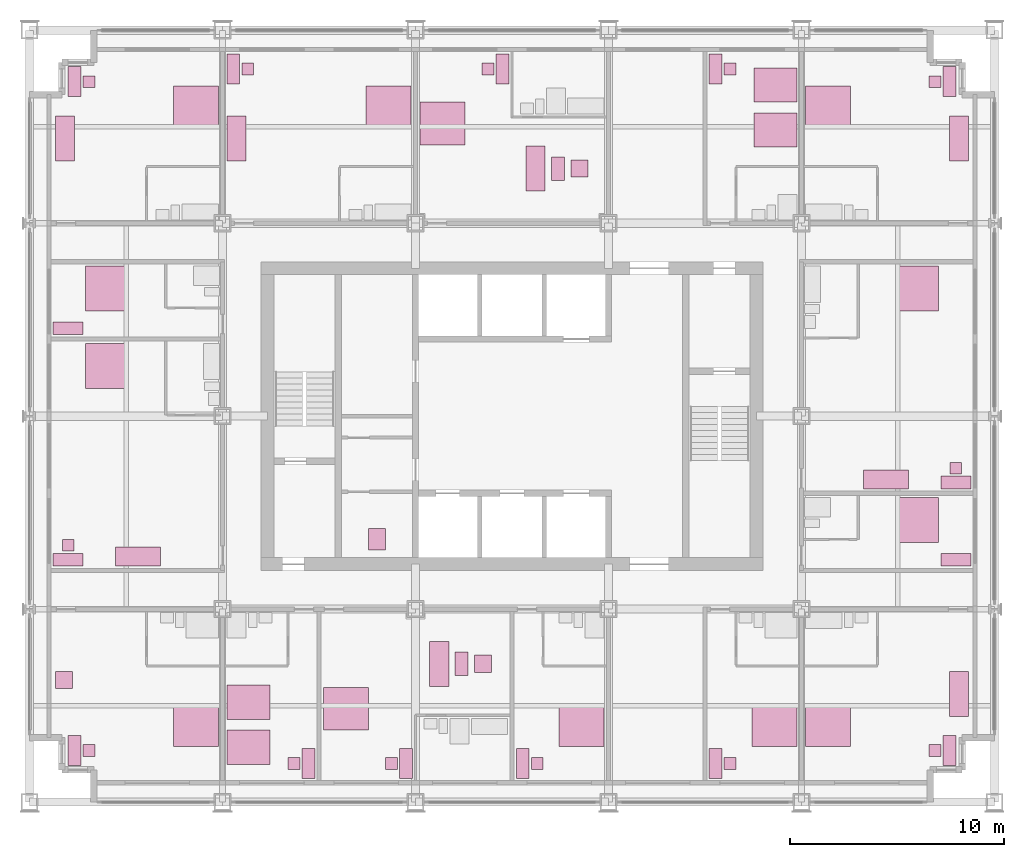
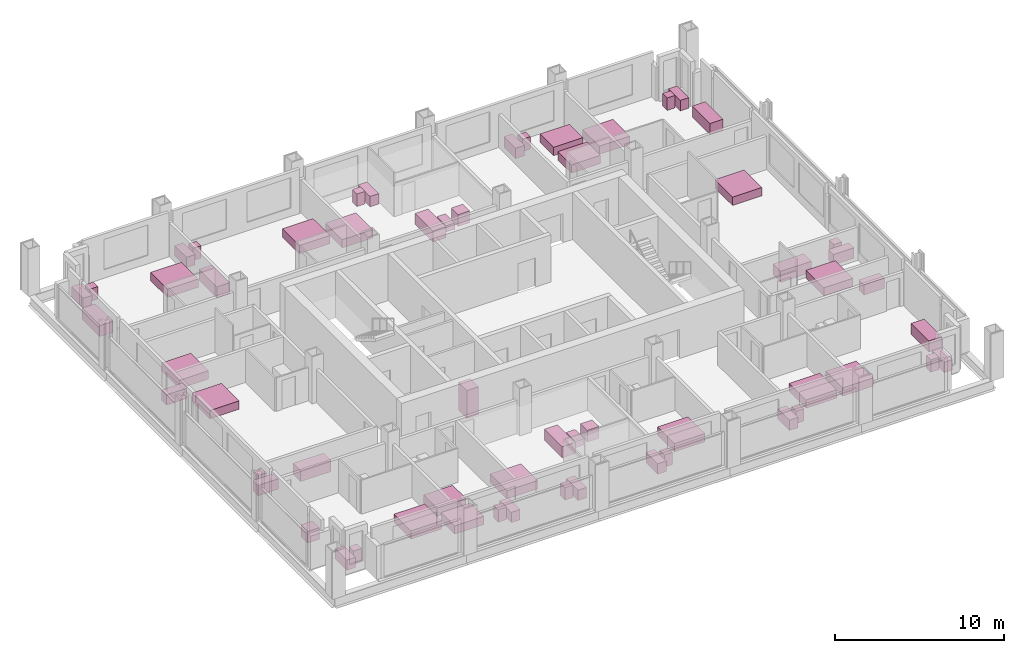
# One storey, part 16 of 16: 59 furniture elements.
"""IFC4 building model written with IfcOpenShell, lengths in metres."""

from ifc_helpers import new_model, si_unit, direction, frame, origin, origin_2d, place, context, subcontext, project, spatial, rectangle, extrude, element, save


model = new_model("IFC4")

# Units and contexts
model_context = context("Model", 3, precision=1e-05, world=origin(), true_north=direction((0.0, 1.0)))
body_context = subcontext(model_context, "Body", "Model", "MODEL_VIEW")
ifc_project = project(units=[si_unit("LENGTHUNIT", "METRE"), si_unit("AREAUNIT", "SQUARE_METRE"), si_unit("VOLUMEUNIT", "CUBIC_METRE"), si_unit("PLANEANGLEUNIT", "RADIAN"), si_unit("MASSUNIT", "GRAM", prefix="KILO")], contexts=[model_context])

# Site, building, storey
site_placement = place(None, origin())
site = spatial("IfcSite", under=ifc_project, at=site_placement, CompositionType="ELEMENT")
building_placement = place(site_placement, origin())
building = spatial("IfcBuilding", under=site, at=building_placement, Name="Loomwork Tower", CompositionType="ELEMENT")
storey_placement = place(building_placement, frame((0.0, 0.0, 121.39990234375)))
storey = spatial("IfcBuildingStorey", under=building, at=storey_placement, Name="L32", CompositionType="ELEMENT", Elevation=121.39990234375)

# Furniture
furniture_1_placement = place(storey_placement, frame((7.75, 3.60009765625, 0.0), z_axis=(0.0, 0.0, 1.0), x_axis=(1.0, 0.0, 0.0)))
element("IfcFurniture", 1, at=furniture_1_placement, inside=storey, Name="King bed L32", PredefinedType="BED", context=body_context, shape_type="SweptSolid", body=[
    extrude(rectangle(XDim=2.10009765625, YDim=2.0, at=origin_2d()), origin(), (0.0, 0.0, 1.0), 0.60009765625),
])
furniture_2_placement = place(storey_placement, frame((2.10009765625, 2.39990234375, 0.0), z_axis=(0.0, 0.0, 1.0), x_axis=(1.0, 0.0, 0.0)))
element("IfcFurniture", 2, at=furniture_2_placement, inside=storey, Name="Writing desk L32", PredefinedType="DESK", context=body_context, shape_type="SweptSolid", body=[
    extrude(rectangle(XDim=0.60009765625, YDim=1.39990234375, at=origin_2d()), origin(), (0.0, 0.0, 1.0), 0.75),
])
furniture_3_placement = place(storey_placement, frame((2.77490234375, 2.39990234375, 0.000244140625), z_axis=(0.0, 0.0, 1.0), x_axis=(1.0, 0.0, 0.0)))
element("IfcFurniture", 3, at=furniture_3_placement, inside=storey, Name="Desk chair L32", PredefinedType="CHAIR", context=body_context, shape_type="SweptSolid", body=[
    extrude(rectangle(XDim=0.550048828125, YDim=0.550048828125, at=origin_2d()), origin(), (0.0, 0.0, 1.0), 0.89990234375),
])
furniture_4_placement = place(storey_placement, frame((1.60009765625, 5.699951171875, 0.0), z_axis=(0.0, 0.0, 1.0), x_axis=(1.0, 0.0, 0.0)))
element("IfcFurniture", 4, at=furniture_4_placement, inside=storey, Name="Lounge armchair L32", PredefinedType="CHAIR", context=body_context, shape_type="SweptSolid", body=[
    extrude(rectangle(XDim=0.800048828125, YDim=0.800048828125, at=origin_2d()), origin(), (0.0, 0.0, 1.0), 0.85009765625),
])
for number, where, z_axis, x_axis, name in (
    (5, (10.199951171875, 4.64990234375, 0.0), (0.0, 0.0, 1.0), (1.0, 0.0, 0.0), "Queen bed L32"),
    (6, (10.199951171875, 2.550048828125, 0.0), (0.0, 0.0, 1.0), (1.0, 0.0, 0.0), "Queen bed L32"),
):
    element("IfcFurniture", number, at=place(storey_placement, frame(where, z_axis=z_axis, x_axis=x_axis)), inside=storey, Name=name, PredefinedType="BED", context=body_context, shape_type="SweptSolid", body=[
        extrude(rectangle(XDim=2.0, YDim=1.60009765625, at=origin_2d()), origin(), (0.0, 0.0, 1.0), 0.60009765625),
    ])
furniture_5_placement = place(storey_placement, frame((13.0, 1.800048828125, 0.0), z_axis=(0.0, 0.0, 1.0), x_axis=(1.0, 0.0, 0.0)))
element("IfcFurniture", 7, at=furniture_5_placement, inside=storey, Name="Writing desk L32", PredefinedType="DESK", context=body_context, shape_type="SweptSolid", body=[
    extrude(rectangle(XDim=0.60009765625, YDim=1.39990234375, at=origin_2d()), origin(), (0.0, 0.0, 1.0), 0.75),
])
furniture_6_placement = place(storey_placement, frame((12.324951171875, 1.800048828125, 0.000244140625), z_axis=(0.0, 0.0, 1.0), x_axis=(1.0, 0.0, 0.0)))
element("IfcFurniture", 8, at=furniture_6_placement, inside=storey, Name="Desk chair L32", PredefinedType="CHAIR", context=body_context, shape_type="SweptSolid", body=[
    extrude(rectangle(XDim=0.550048828125, YDim=0.550048828125, at=origin_2d()), origin(), (0.0, 0.0, 1.0), 0.89990234375),
])
furniture_7_placement = place(storey_placement, frame((14.75, 4.35009765625, 0.0), z_axis=(0.0, 0.0, 1.0), x_axis=(1.0, 0.0, 0.0)))
element("IfcFurniture", 9, at=furniture_7_placement, inside=storey, Name="King bed L32", PredefinedType="BED", context=body_context, shape_type="SweptSolid", body=[
    extrude(rectangle(XDim=2.10009765625, YDim=2.0, at=origin_2d()), origin(), (0.0, 0.0, 1.0), 0.60009765625),
])
furniture_8_placement = place(storey_placement, frame((17.550048828125, 1.800048828125, 0.0), z_axis=(0.0, 0.0, 1.0), x_axis=(1.0, 0.0, 0.0)))
element("IfcFurniture", 10, at=furniture_8_placement, inside=storey, Name="Writing desk L32", PredefinedType="DESK", context=body_context, shape_type="SweptSolid", body=[
    extrude(rectangle(XDim=0.60009765625, YDim=1.39990234375, at=origin_2d()), origin(), (0.0, 0.0, 1.0), 0.75),
])
furniture_9_placement = place(storey_placement, frame((16.875, 1.800048828125, 0.000244140625), z_axis=(0.0, 0.0, 1.0), x_axis=(1.0, 0.0, 0.0)))
element("IfcFurniture", 11, at=furniture_9_placement, inside=storey, Name="Desk chair L32", PredefinedType="CHAIR", context=body_context, shape_type="SweptSolid", body=[
    extrude(rectangle(XDim=0.550048828125, YDim=0.550048828125, at=origin_2d()), origin(), (0.0, 0.0, 1.0), 0.89990234375),
])
furniture_10_placement = place(storey_placement, frame((19.10009765625, 6.449951171875, 0.0), z_axis=(0.0, 0.0, 1.0), x_axis=(1.0, 0.0, 0.0)))
element("IfcFurniture", 12, at=furniture_10_placement, inside=storey, Name="Sofa L32", PredefinedType="SOFA", context=body_context, shape_type="SweptSolid", body=[
    extrude(rectangle(XDim=0.89990234375, YDim=2.10009765625, at=origin_2d()), origin(), (0.0, 0.0, 1.0), 0.800048828125),
])
furniture_11_placement = place(storey_placement, frame((20.14990234375, 6.449951171875, 0.0), z_axis=(0.0, 0.0, 1.0), x_axis=(1.0, 0.0, 0.0)))
element("IfcFurniture", 13, at=furniture_11_placement, inside=storey, Name="Coffee table L32", PredefinedType="TABLE", context=body_context, shape_type="SweptSolid", body=[
    extrude(rectangle(XDim=0.60009765625, YDim=1.10009765625, at=origin_2d()), origin(), (0.0, 0.0, 1.0), 0.449951171875),
])
furniture_12_placement = place(storey_placement, frame((21.14990234375, 6.449951171875, 0.0), z_axis=(0.0, 0.0, 1.0), x_axis=(1.0, 0.0, 0.0)))
element("IfcFurniture", 14, at=furniture_12_placement, inside=storey, Name="Lounge armchair L32", PredefinedType="CHAIR", context=body_context, shape_type="SweptSolid", body=[
    extrude(rectangle(XDim=0.800048828125, YDim=0.800048828125, at=origin_2d()), origin(), (0.0, 0.0, 1.0), 0.85009765625),
])
furniture_13_placement = place(storey_placement, frame((25.75, 3.60009765625, 0.0), z_axis=(0.0, 0.0, 1.0), x_axis=(1.0, 0.0, 0.0)))
element("IfcFurniture", 15, at=furniture_13_placement, inside=storey, Name="King bed L32", PredefinedType="BED", context=body_context, shape_type="SweptSolid", body=[
    extrude(rectangle(XDim=2.10009765625, YDim=2.0, at=origin_2d()), origin(), (0.0, 0.0, 1.0), 0.60009765625),
])
furniture_14_placement = place(storey_placement, frame((23.0, 1.800048828125, 0.0), z_axis=(0.0, 0.0, 1.0), x_axis=(1.0, 0.0, 0.0)))
element("IfcFurniture", 16, at=furniture_14_placement, inside=storey, Name="Writing desk L32", PredefinedType="DESK", context=body_context, shape_type="SweptSolid", body=[
    extrude(rectangle(XDim=0.60009765625, YDim=1.39990234375, at=origin_2d()), origin(), (0.0, 0.0, 1.0), 0.75),
])
furniture_15_placement = place(storey_placement, frame((23.675048828125, 1.800048828125, 0.000244140625), z_axis=(0.0, 0.0, 1.0), x_axis=(1.0, 0.0, 0.0)))
element("IfcFurniture", 17, at=furniture_15_placement, inside=storey, Name="Desk chair L32", PredefinedType="CHAIR", context=body_context, shape_type="SweptSolid", body=[
    extrude(rectangle(XDim=0.550048828125, YDim=0.550048828125, at=origin_2d()), origin(), (0.0, 0.0, 1.0), 0.89990234375),
])
furniture_16_placement = place(storey_placement, frame((34.75, 3.60009765625, 0.0), z_axis=(0.0, 0.0, 1.0), x_axis=(1.0, 0.0, 0.0)))
element("IfcFurniture", 18, at=furniture_16_placement, inside=storey, Name="King bed L32", PredefinedType="BED", context=body_context, shape_type="SweptSolid", body=[
    extrude(rectangle(XDim=2.10009765625, YDim=2.0, at=origin_2d()), origin(), (0.0, 0.0, 1.0), 0.60009765625),
])
furniture_17_placement = place(storey_placement, frame((32.0, 1.800048828125, 0.0), z_axis=(0.0, 0.0, 1.0), x_axis=(1.0, 0.0, 0.0)))
element("IfcFurniture", 19, at=furniture_17_placement, inside=storey, Name="Writing desk L32", PredefinedType="DESK", context=body_context, shape_type="SweptSolid", body=[
    extrude(rectangle(XDim=0.60009765625, YDim=1.39990234375, at=origin_2d()), origin(), (0.0, 0.0, 1.0), 0.75),
])
furniture_18_placement = place(storey_placement, frame((32.675048828125, 1.800048828125, 0.000244140625), z_axis=(0.0, 0.0, 1.0), x_axis=(1.0, 0.0, 0.0)))
element("IfcFurniture", 20, at=furniture_18_placement, inside=storey, Name="Desk chair L32", PredefinedType="CHAIR", context=body_context, shape_type="SweptSolid", body=[
    extrude(rectangle(XDim=0.550048828125, YDim=0.550048828125, at=origin_2d()), origin(), (0.0, 0.0, 1.0), 0.89990234375),
])
furniture_19_placement = place(storey_placement, frame((37.25, 3.60009765625, 0.0), z_axis=(0.0, 0.0, 1.0), x_axis=(1.0, 0.0, 0.0)))
element("IfcFurniture", 21, at=furniture_19_placement, inside=storey, Name="King bed L32", PredefinedType="BED", context=body_context, shape_type="SweptSolid", body=[
    extrude(rectangle(XDim=2.10009765625, YDim=2.0, at=origin_2d()), origin(), (0.0, 0.0, 1.0), 0.60009765625),
])
furniture_20_placement = place(storey_placement, frame((42.89990234375, 2.39990234375, 0.0), z_axis=(0.0, 0.0, 1.0), x_axis=(1.0, 0.0, 0.0)))
element("IfcFurniture", 22, at=furniture_20_placement, inside=storey, Name="Writing desk L32", PredefinedType="DESK", context=body_context, shape_type="SweptSolid", body=[
    extrude(rectangle(XDim=0.60009765625, YDim=1.39990234375, at=origin_2d()), origin(), (0.0, 0.0, 1.0), 0.75),
])
furniture_21_placement = place(storey_placement, frame((42.22509765625, 2.39990234375, 0.000244140625), z_axis=(0.0, 0.0, 1.0), x_axis=(1.0, 0.0, 0.0)))
element("IfcFurniture", 23, at=furniture_21_placement, inside=storey, Name="Desk chair L32", PredefinedType="CHAIR", context=body_context, shape_type="SweptSolid", body=[
    extrude(rectangle(XDim=0.550048828125, YDim=0.550048828125, at=origin_2d()), origin(), (0.0, 0.0, 1.0), 0.89990234375),
])
furniture_22_placement = place(storey_placement, frame((43.35009765625, 5.050048828125, 0.0), z_axis=(0.0, 0.0, 1.0), x_axis=(1.0, 0.0, 0.0)))
element("IfcFurniture", 24, at=furniture_22_placement, inside=storey, Name="Sofa L32", PredefinedType="SOFA", context=body_context, shape_type="SweptSolid", body=[
    extrude(rectangle(XDim=0.89990234375, YDim=2.10009765625, at=origin_2d()), origin(), (0.0, 0.0, 1.0), 0.800048828125),
])
furniture_23_placement = place(storey_placement, frame((7.75, 32.39990234375, 0.0), z_axis=(0.0, 0.0, 1.0), x_axis=(1.0, 0.0, 0.0)))
element("IfcFurniture", 25, at=furniture_23_placement, inside=storey, Name="King bed L32", PredefinedType="BED", context=body_context, shape_type="SweptSolid", body=[
    extrude(rectangle(XDim=2.10009765625, YDim=2.0, at=origin_2d()), origin(), (0.0, 0.0, 1.0), 0.60009765625),
])
furniture_24_placement = place(storey_placement, frame((2.10009765625, 33.60009765625, 0.0), z_axis=(0.0, 0.0, 1.0), x_axis=(1.0, 0.0, 0.0)))
element("IfcFurniture", 26, at=furniture_24_placement, inside=storey, Name="Writing desk L32", PredefinedType="DESK", context=body_context, shape_type="SweptSolid", body=[
    extrude(rectangle(XDim=0.60009765625, YDim=1.39990234375, at=origin_2d()), origin(), (0.0, 0.0, 1.0), 0.75),
])
furniture_25_placement = place(storey_placement, frame((2.77490234375, 33.60009765625, 0.000244140625), z_axis=(0.0, 0.0, 1.0), x_axis=(1.0, 0.0, 0.0)))
element("IfcFurniture", 27, at=furniture_25_placement, inside=storey, Name="Desk chair L32", PredefinedType="CHAIR", context=body_context, shape_type="SweptSolid", body=[
    extrude(rectangle(XDim=0.550048828125, YDim=0.550048828125, at=origin_2d()), origin(), (0.0, 0.0, 1.0), 0.89990234375),
])
furniture_26_placement = place(storey_placement, frame((1.64990234375, 30.949951171875, 0.0), z_axis=(0.0, 0.0, 1.0), x_axis=(1.0, 0.0, 0.0)))
element("IfcFurniture", 28, at=furniture_26_placement, inside=storey, Name="Sofa L32", PredefinedType="SOFA", context=body_context, shape_type="SweptSolid", body=[
    extrude(rectangle(XDim=0.89990234375, YDim=2.10009765625, at=origin_2d()), origin(), (0.0, 0.0, 1.0), 0.800048828125),
])
furniture_27_placement = place(storey_placement, frame((16.75, 32.39990234375, 0.0), z_axis=(0.0, 0.0, 1.0), x_axis=(1.0, 0.0, 0.0)))
element("IfcFurniture", 29, at=furniture_27_placement, inside=storey, Name="King bed L32", PredefinedType="BED", context=body_context, shape_type="SweptSolid", body=[
    extrude(rectangle(XDim=2.10009765625, YDim=2.0, at=origin_2d()), origin(), (0.0, 0.0, 1.0), 0.60009765625),
])
furniture_28_placement = place(storey_placement, frame((9.5, 34.199951171875, 0.0), z_axis=(0.0, 0.0, 1.0), x_axis=(1.0, 0.0, 0.0)))
element("IfcFurniture", 30, at=furniture_28_placement, inside=storey, Name="Writing desk L32", PredefinedType="DESK", context=body_context, shape_type="SweptSolid", body=[
    extrude(rectangle(XDim=0.60009765625, YDim=1.39990234375, at=origin_2d()), origin(), (0.0, 0.0, 1.0), 0.75),
])
furniture_29_placement = place(storey_placement, frame((10.175048828125, 34.199951171875, 0.000244140625), z_axis=(0.0, 0.0, 1.0), x_axis=(1.0, 0.0, 0.0)))
element("IfcFurniture", 31, at=furniture_29_placement, inside=storey, Name="Desk chair L32", PredefinedType="CHAIR", context=body_context, shape_type="SweptSolid", body=[
    extrude(rectangle(XDim=0.550048828125, YDim=0.550048828125, at=origin_2d()), origin(), (0.0, 0.0, 1.0), 0.89990234375),
])
furniture_30_placement = place(storey_placement, frame((9.64990234375, 30.949951171875, 0.0), z_axis=(0.0, 0.0, 1.0), x_axis=(1.0, 0.0, 0.0)))
element("IfcFurniture", 32, at=furniture_30_placement, inside=storey, Name="Sofa L32", PredefinedType="SOFA", context=body_context, shape_type="SweptSolid", body=[
    extrude(rectangle(XDim=0.89990234375, YDim=2.10009765625, at=origin_2d()), origin(), (0.0, 0.0, 1.0), 0.800048828125),
])
furniture_31_placement = place(storey_placement, frame((19.25, 31.64990234375, 0.0), z_axis=(0.0, 0.0, 1.0), x_axis=(1.0, 0.0, 0.0)))
element("IfcFurniture", 33, at=furniture_31_placement, inside=storey, Name="King bed L32", PredefinedType="BED", context=body_context, shape_type="SweptSolid", body=[
    extrude(rectangle(XDim=2.10009765625, YDim=2.0, at=origin_2d()), origin(), (0.0, 0.0, 1.0), 0.60009765625),
])
furniture_32_placement = place(storey_placement, frame((22.050048828125, 34.199951171875, 0.0), z_axis=(0.0, 0.0, 1.0), x_axis=(1.0, 0.0, 0.0)))
element("IfcFurniture", 34, at=furniture_32_placement, inside=storey, Name="Writing desk L32", PredefinedType="DESK", context=body_context, shape_type="SweptSolid", body=[
    extrude(rectangle(XDim=0.60009765625, YDim=1.39990234375, at=origin_2d()), origin(), (0.0, 0.0, 1.0), 0.75),
])
furniture_33_placement = place(storey_placement, frame((21.375, 34.199951171875, 0.000244140625), z_axis=(0.0, 0.0, 1.0), x_axis=(1.0, 0.0, 0.0)))
element("IfcFurniture", 35, at=furniture_33_placement, inside=storey, Name="Desk chair L32", PredefinedType="CHAIR", context=body_context, shape_type="SweptSolid", body=[
    extrude(rectangle(XDim=0.550048828125, YDim=0.550048828125, at=origin_2d()), origin(), (0.0, 0.0, 1.0), 0.89990234375),
])
furniture_34_placement = place(storey_placement, frame((23.60009765625, 29.550048828125, 0.0), z_axis=(0.0, 0.0, 1.0), x_axis=(1.0, 0.0, 0.0)))
element("IfcFurniture", 36, at=furniture_34_placement, inside=storey, Name="Sofa L32", PredefinedType="SOFA", context=body_context, shape_type="SweptSolid", body=[
    extrude(rectangle(XDim=0.89990234375, YDim=2.10009765625, at=origin_2d()), origin(), (0.0, 0.0, 1.0), 0.800048828125),
])
furniture_35_placement = place(storey_placement, frame((24.64990234375, 29.550048828125, 0.0), z_axis=(0.0, 0.0, 1.0), x_axis=(1.0, 0.0, 0.0)))
element("IfcFurniture", 37, at=furniture_35_placement, inside=storey, Name="Coffee table L32", PredefinedType="TABLE", context=body_context, shape_type="SweptSolid", body=[
    extrude(rectangle(XDim=0.60009765625, YDim=1.10009765625, at=origin_2d()), origin(), (0.0, 0.0, 1.0), 0.449951171875),
])
furniture_36_placement = place(storey_placement, frame((25.64990234375, 29.550048828125, 0.0), z_axis=(0.0, 0.0, 1.0), x_axis=(1.0, 0.0, 0.0)))
element("IfcFurniture", 38, at=furniture_36_placement, inside=storey, Name="Lounge armchair L32", PredefinedType="CHAIR", context=body_context, shape_type="SweptSolid", body=[
    extrude(rectangle(XDim=0.800048828125, YDim=0.800048828125, at=origin_2d()), origin(), (0.0, 0.0, 1.0), 0.85009765625),
])
for number, where, z_axis, x_axis, name in (
    (39, (34.800048828125, 31.35009765625, 0.0), (0.0, 0.0, 1.0), (1.0, 0.0, 0.0), "Queen bed L32"),
    (40, (34.800048828125, 33.449951171875, 0.0), (0.0, 0.0, 1.0), (1.0, 0.0, 0.0), "Queen bed L32"),
):
    element("IfcFurniture", number, at=place(storey_placement, frame(where, z_axis=z_axis, x_axis=x_axis)), inside=storey, Name=name, PredefinedType="BED", context=body_context, shape_type="SweptSolid", body=[
        extrude(rectangle(XDim=2.0, YDim=1.60009765625, at=origin_2d()), origin(), (0.0, 0.0, 1.0), 0.60009765625),
    ])
furniture_37_placement = place(storey_placement, frame((32.0, 34.199951171875, 0.0), z_axis=(0.0, 0.0, 1.0), x_axis=(1.0, 0.0, 0.0)))
element("IfcFurniture", 41, at=furniture_37_placement, inside=storey, Name="Writing desk L32", PredefinedType="DESK", context=body_context, shape_type="SweptSolid", body=[
    extrude(rectangle(XDim=0.60009765625, YDim=1.39990234375, at=origin_2d()), origin(), (0.0, 0.0, 1.0), 0.75),
])
furniture_38_placement = place(storey_placement, frame((32.675048828125, 34.199951171875, 0.000244140625), z_axis=(0.0, 0.0, 1.0), x_axis=(1.0, 0.0, 0.0)))
element("IfcFurniture", 42, at=furniture_38_placement, inside=storey, Name="Desk chair L32", PredefinedType="CHAIR", context=body_context, shape_type="SweptSolid", body=[
    extrude(rectangle(XDim=0.550048828125, YDim=0.550048828125, at=origin_2d()), origin(), (0.0, 0.0, 1.0), 0.89990234375),
])
furniture_39_placement = place(storey_placement, frame((37.25, 32.39990234375, 0.0), z_axis=(0.0, 0.0, 1.0), x_axis=(1.0, 0.0, 0.0)))
element("IfcFurniture", 43, at=furniture_39_placement, inside=storey, Name="King bed L32", PredefinedType="BED", context=body_context, shape_type="SweptSolid", body=[
    extrude(rectangle(XDim=2.10009765625, YDim=2.0, at=origin_2d()), origin(), (0.0, 0.0, 1.0), 0.60009765625),
])
furniture_40_placement = place(storey_placement, frame((42.89990234375, 33.60009765625, 0.0), z_axis=(0.0, 0.0, 1.0), x_axis=(1.0, 0.0, 0.0)))
element("IfcFurniture", 44, at=furniture_40_placement, inside=storey, Name="Writing desk L32", PredefinedType="DESK", context=body_context, shape_type="SweptSolid", body=[
    extrude(rectangle(XDim=0.60009765625, YDim=1.39990234375, at=origin_2d()), origin(), (0.0, 0.0, 1.0), 0.75),
])
furniture_41_placement = place(storey_placement, frame((42.22509765625, 33.60009765625, 0.000244140625), z_axis=(0.0, 0.0, 1.0), x_axis=(1.0, 0.0, 0.0)))
element("IfcFurniture", 45, at=furniture_41_placement, inside=storey, Name="Desk chair L32", PredefinedType="CHAIR", context=body_context, shape_type="SweptSolid", body=[
    extrude(rectangle(XDim=0.550048828125, YDim=0.550048828125, at=origin_2d()), origin(), (0.0, 0.0, 1.0), 0.89990234375),
])
furniture_42_placement = place(storey_placement, frame((43.35009765625, 30.949951171875, 0.0), z_axis=(0.0, 0.0, 1.0), x_axis=(1.0, 0.0, 0.0)))
element("IfcFurniture", 46, at=furniture_42_placement, inside=storey, Name="Sofa L32", PredefinedType="SOFA", context=body_context, shape_type="SweptSolid", body=[
    extrude(rectangle(XDim=0.89990234375, YDim=2.10009765625, at=origin_2d()), origin(), (0.0, 0.0, 1.0), 0.800048828125),
])
furniture_43_placement = place(storey_placement, frame((3.60009765625, 20.35009765625, 0.0), z_axis=(0.0, 0.0, 1.0), x_axis=(1.0, 0.0, 0.0)))
element("IfcFurniture", 47, at=furniture_43_placement, inside=storey, Name="King bed L32", PredefinedType="BED", context=body_context, shape_type="SweptSolid", body=[
    extrude(rectangle(XDim=2.0, YDim=2.10009765625, at=origin_2d()), origin(), (0.0, 0.0, 1.0), 0.60009765625),
])
furniture_44_placement = place(storey_placement, frame((1.800048828125, 11.300048828125, 0.0), z_axis=(0.0, 0.0, 1.0), x_axis=(1.0, 0.0, 0.0)))
element("IfcFurniture", 48, at=furniture_44_placement, inside=storey, Name="Writing desk L32", PredefinedType="DESK", context=body_context, shape_type="SweptSolid", body=[
    extrude(rectangle(XDim=1.39990234375, YDim=0.60009765625, at=origin_2d()), origin(), (0.0, 0.0, 1.0), 0.75),
])
furniture_45_placement = place(storey_placement, frame((1.800048828125, 11.97509765625, 0.000244140625), z_axis=(0.0, 0.0, 1.0), x_axis=(1.0, 0.0, 0.0)))
element("IfcFurniture", 49, at=furniture_45_placement, inside=storey, Name="Desk chair L32", PredefinedType="CHAIR", context=body_context, shape_type="SweptSolid", body=[
    extrude(rectangle(XDim=0.550048828125, YDim=0.550048828125, at=origin_2d()), origin(), (0.0, 0.0, 1.0), 0.89990234375),
])
furniture_46_placement = place(storey_placement, frame((5.050048828125, 11.449951171875, 0.0), z_axis=(0.0, 0.0, 1.0), x_axis=(1.0, 0.0, 0.0)))
element("IfcFurniture", 50, at=furniture_46_placement, inside=storey, Name="Sofa L32", PredefinedType="SOFA", context=body_context, shape_type="SweptSolid", body=[
    extrude(rectangle(XDim=2.10009765625, YDim=0.89990234375, at=origin_2d()), origin(), (0.0, 0.0, 1.0), 0.800048828125),
])
furniture_47_placement = place(storey_placement, frame((3.60009765625, 23.949951171875, 0.0), z_axis=(0.0, 0.0, 1.0), x_axis=(1.0, 0.0, 0.0)))
element("IfcFurniture", 51, at=furniture_47_placement, inside=storey, Name="King bed L32", PredefinedType="BED", context=body_context, shape_type="SweptSolid", body=[
    extrude(rectangle(XDim=2.0, YDim=2.10009765625, at=origin_2d()), origin(), (0.0, 0.0, 1.0), 0.60009765625),
])
furniture_48_placement = place(storey_placement, frame((1.800048828125, 22.10009765625, 0.0), z_axis=(0.0, 0.0, 1.0), x_axis=(1.0, 0.0, 0.0)))
element("IfcFurniture", 52, at=furniture_48_placement, inside=storey, Name="Writing desk L32", PredefinedType="DESK", context=body_context, shape_type="SweptSolid", body=[
    extrude(rectangle(XDim=1.39990234375, YDim=0.60009765625, at=origin_2d()), origin(), (0.0, 0.0, 1.0), 0.75),
])
furniture_49_placement = place(storey_placement, frame((41.39990234375, 13.14990234375, 0.0), z_axis=(0.0, 0.0, 1.0), x_axis=(1.0, 0.0, 0.0)))
element("IfcFurniture", 53, at=furniture_49_placement, inside=storey, Name="King bed L32", PredefinedType="BED", context=body_context, shape_type="SweptSolid", body=[
    extrude(rectangle(XDim=2.0, YDim=2.10009765625, at=origin_2d()), origin(), (0.0, 0.0, 1.0), 0.60009765625),
])
furniture_50_placement = place(storey_placement, frame((43.199951171875, 11.300048828125, 0.0), z_axis=(0.0, 0.0, 1.0), x_axis=(1.0, 0.0, 0.0)))
element("IfcFurniture", 54, at=furniture_50_placement, inside=storey, Name="Writing desk L32", PredefinedType="DESK", context=body_context, shape_type="SweptSolid", body=[
    extrude(rectangle(XDim=1.39990234375, YDim=0.60009765625, at=origin_2d()), origin(), (0.0, 0.0, 1.0), 0.75),
])
furniture_51_placement = place(storey_placement, frame((41.39990234375, 23.949951171875, 0.0), z_axis=(0.0, 0.0, 1.0), x_axis=(1.0, 0.0, 0.0)))
element("IfcFurniture", 55, at=furniture_51_placement, inside=storey, Name="King bed L32", PredefinedType="BED", context=body_context, shape_type="SweptSolid", body=[
    extrude(rectangle(XDim=2.0, YDim=2.10009765625, at=origin_2d()), origin(), (0.0, 0.0, 1.0), 0.60009765625),
])
furniture_52_placement = place(storey_placement, frame((43.199951171875, 14.89990234375, 0.0), z_axis=(0.0, 0.0, 1.0), x_axis=(1.0, 0.0, 0.0)))
element("IfcFurniture", 56, at=furniture_52_placement, inside=storey, Name="Writing desk L32", PredefinedType="DESK", context=body_context, shape_type="SweptSolid", body=[
    extrude(rectangle(XDim=1.39990234375, YDim=0.60009765625, at=origin_2d()), origin(), (0.0, 0.0, 1.0), 0.75),
])
furniture_53_placement = place(storey_placement, frame((43.199951171875, 15.574951171875, 0.000244140625), z_axis=(0.0, 0.0, 1.0), x_axis=(1.0, 0.0, 0.0)))
element("IfcFurniture", 57, at=furniture_53_placement, inside=storey, Name="Desk chair L32", PredefinedType="CHAIR", context=body_context, shape_type="SweptSolid", body=[
    extrude(rectangle(XDim=0.550048828125, YDim=0.550048828125, at=origin_2d()), origin(), (0.0, 0.0, 1.0), 0.89990234375),
])
furniture_54_placement = place(storey_placement, frame((39.949951171875, 15.050048828125, 0.0), z_axis=(0.0, 0.0, 1.0), x_axis=(1.0, 0.0, 0.0)))
element("IfcFurniture", 58, at=furniture_54_placement, inside=storey, Name="Sofa L32", PredefinedType="SOFA", context=body_context, shape_type="SweptSolid", body=[
    extrude(rectangle(XDim=2.10009765625, YDim=0.89990234375, at=origin_2d()), origin(), (0.0, 0.0, 1.0), 0.800048828125),
])
furniture_55_placement = place(storey_placement, frame((16.199951171875, 12.25, 0.0), z_axis=(0.0, 0.0, 1.0), x_axis=(1.0, 0.0, 0.0)))
element("IfcFurniture", 59, at=furniture_55_placement, inside=storey, Name="Data cabinet L32", ObjectType="DATA CABINET", PredefinedType="USERDEFINED", context=body_context, shape_type="SweptSolid", body=[
    extrude(rectangle(XDim=0.800048828125, YDim=1.0, at=origin_2d()), origin(), (0.0, 0.0, 1.0), 2.0),
])

save(model, "model.ifc")
